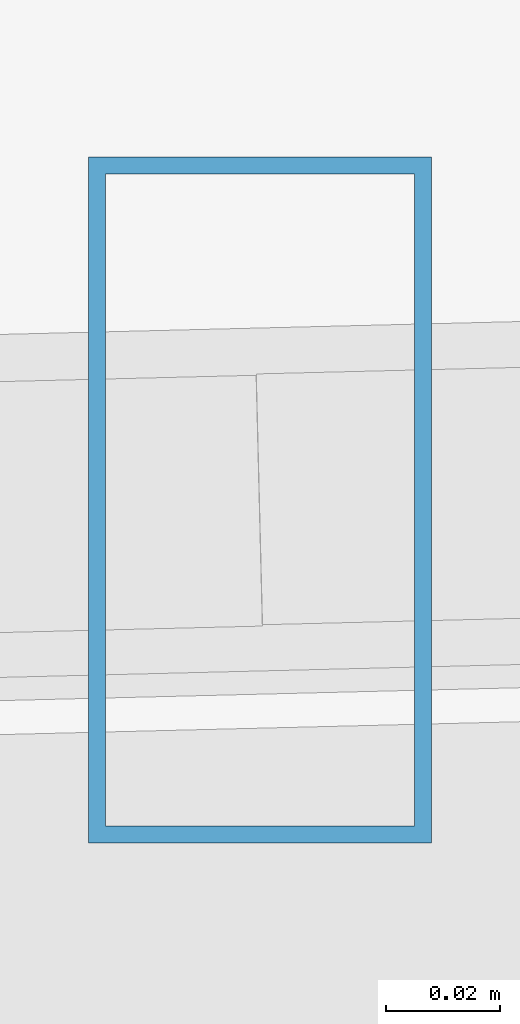
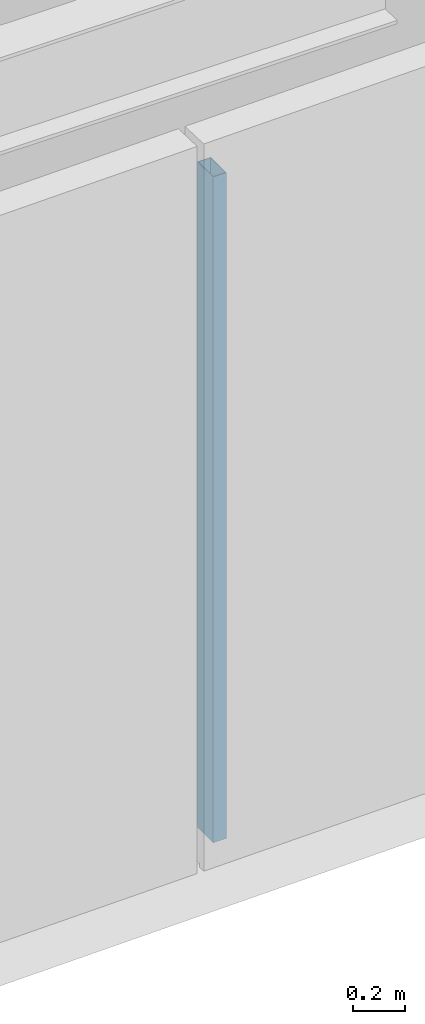
# One storey, part 13 of 48: 1 member, 1 element without a shape of its own.
"""IFC4 building model written with IfcOpenShell, lengths in metres."""

from ifc_helpers import new_model, si_unit, direction, frame, origin, origin_2d, place, context, subcontext, project, spatial, hollow_rectangle, extrude, source, transform, mapped, material, material_profile, profile_set, type_object, type_shapes, element, aggregate, save


model = new_model("IFC4")

# Units and contexts
model_context = context("Model", 3, precision=1e-05, world=origin(), true_north=direction((0.0, 1.0)))
body_context = subcontext(model_context, "Body", "Model", "MODEL_VIEW")
ifc_project = project(units=[si_unit("LENGTHUNIT", "METRE"), si_unit("AREAUNIT", "SQUARE_METRE"), si_unit("VOLUMEUNIT", "CUBIC_METRE"), si_unit("PLANEANGLEUNIT", "RADIAN"), si_unit("MASSUNIT", "GRAM", prefix="KILO")], contexts=[model_context])

# Site, building, storey
site_placement = place(None, origin())
site = spatial("IfcSite", under=ifc_project, at=site_placement, CompositionType="ELEMENT")
building_placement = place(site_placement, origin())
building = spatial("IfcBuilding", under=site, at=building_placement, Name="Caelisora Broadcast Tower", CompositionType="ELEMENT")
storey_placement = place(building_placement, frame((0.0, 0.0, 300.0)))
storey = spatial("IfcBuildingStorey", under=building, at=storey_placement, Name="L79", CompositionType="ELEMENT", Elevation=300.0)

# Curtain wall, member
ifc_material_1 = material(Name="Unitised Aluminium Insulated Shadow-Box Spandrel Curtain Wall", Category="aluminium")
curtain_wall_type = type_object("IfcCurtainWallType", Name="CW-SP3", PredefinedType="NOTDEFINED", material=ifc_material_1)
curtain_wall_placement = place(storey_placement, origin())
curtain_wall = element("IfcCurtainWall", 1, at=curtain_wall_placement, inside=storey, type_object=curtain_wall_type, Name="L79 curtain wall CW-SP3", PredefinedType="NOTDEFINED")
ifc_material_2 = material(Name="Aluminium 6063-T6 Anodised Terracotta Bronze", Category="aluminium")
ifc_material_profile = material_profile(ifc_material_2, hollow_rectangle(XDim=0.06005859375, YDim=0.1201171875, WallThickness=0.0029296875, at=origin_2d()), Name="Aluminium 6063-T6 Anodised Terracotta Bronze")
ifc_profile_set = profile_set([ifc_material_profile], Name="Aluminium 6063-T6 Anodised Terracotta Bronze")
member_type = type_object("IfcMemberType", Name="CWM-04", PredefinedType="MULLION", material=ifc_profile_set)
shared_shape = source(origin(), body_context, "Body", "SweptSolid", [
    extrude(hollow_rectangle(XDim=0.06005859375, YDim=0.1201171875, WallThickness=0.0029296875, at=origin_2d()), origin(), (0.0, 0.0, 1.0), 3.14990234375),
])
type_shapes(member_type, [shared_shape])
member_placement = place(storey_placement, frame((39.976806640625, 9.105712890625, 0.0), z_axis=(0.0, 0.0, 1.0), x_axis=(1.0, 0.0, 0.0)))
member = element("IfcMember", 2, at=member_placement, type_object=member_type, Name="L79-CW-B06 mullion #1", PredefinedType="MULLION", context=body_context, shape_type="MappedRepresentation", body=[
    mapped(shared_shape, transform((0.0, 0.0, 0.0), scale=1.0)),
])
aggregate(curtain_wall, [member])

save(model, "model.ifc")
